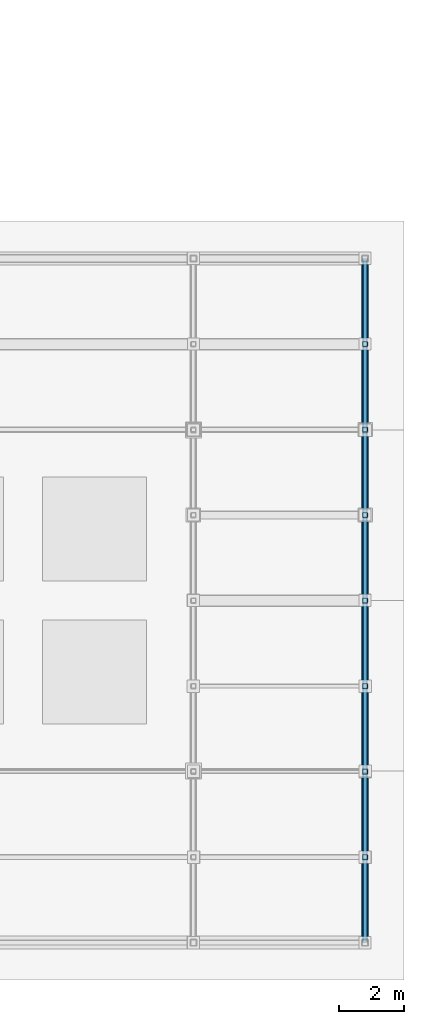
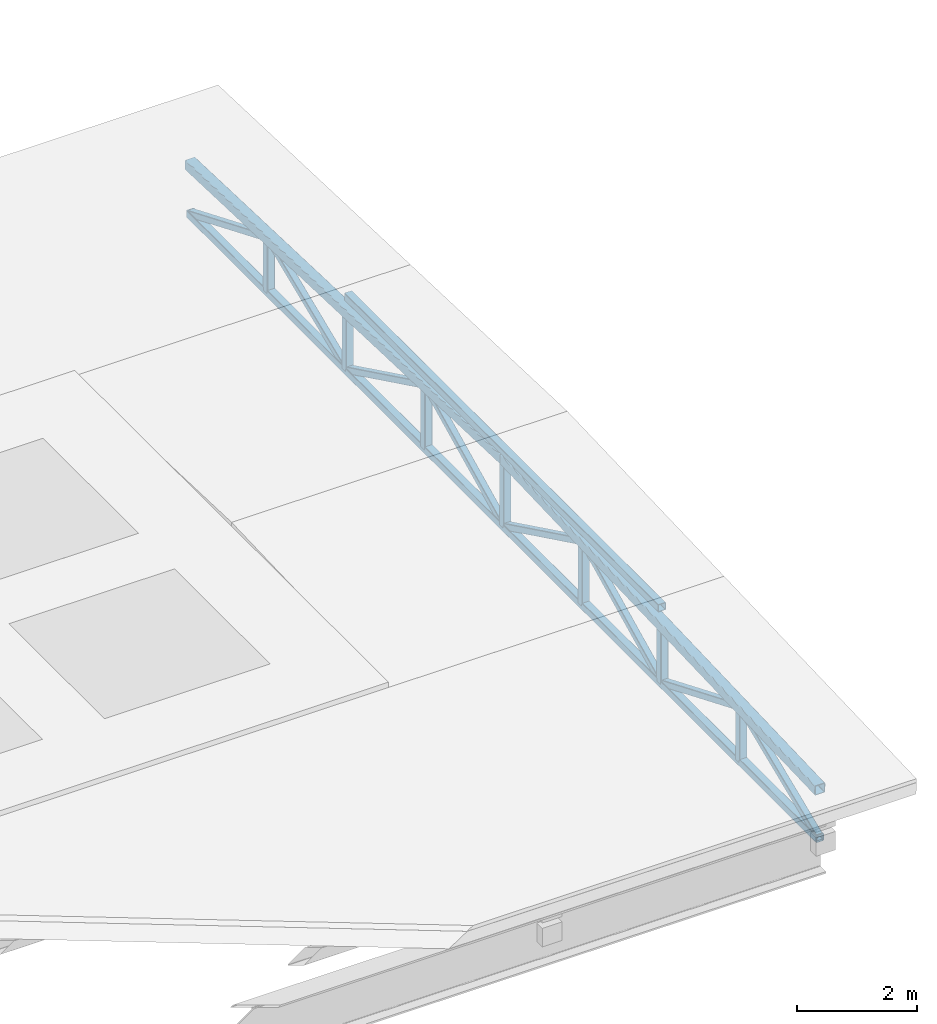
# One storey, part 7 of 25: 15 members, 4 beams.
"""IFC4 building model written with IfcOpenShell, lengths in metres."""

from ifc_helpers import new_model, si_unit, direction, frame, origin, origin_2d, place, context, subcontext, project, spatial, hollow_rectangle, extrude, material, material_profile, profile_set, type_object, element, save


model = new_model("IFC4")

# Units and contexts
model_context = context("Model", 3, precision=1e-05, world=origin(), true_north=direction((0.0, 1.0)))
body_context = subcontext(model_context, "Body", "Model", "MODEL_VIEW")
ifc_project = project(units=[si_unit("LENGTHUNIT", "METRE"), si_unit("AREAUNIT", "SQUARE_METRE"), si_unit("VOLUMEUNIT", "CUBIC_METRE"), si_unit("PLANEANGLEUNIT", "RADIAN"), si_unit("MASSUNIT", "GRAM", prefix="KILO"), si_unit("THERMODYNAMICTEMPERATUREUNIT", "KELVIN"), si_unit("POWERUNIT", "WATT")], contexts=[model_context])

# Site, building, storey
site_placement = place(None, origin())
site = spatial("IfcSite", under=ifc_project, at=site_placement, CompositionType="ELEMENT")
building_placement = place(site_placement, origin())
building = spatial("IfcBuilding", under=site, at=building_placement, Name="Zelmaris Science Centre", CompositionType="ELEMENT")
storey_placement = place(building_placement, frame((0.0, 0.0, 30.0)))
storey = spatial("IfcBuildingStorey", under=building, at=storey_placement, Name="RF", CompositionType="ELEMENT", Elevation=30.0)

# Beams
ifc_material = material(Name="Steel ASTM A500 Grade C", Category="steel")
ifc_material_profile_1 = material_profile(ifc_material, hollow_rectangle(XDim=0.203125, YDim=0.203125, WallThickness=0.01171875, InnerFilletRadius=0.01171875, OuterFilletRadius=0.023681640625, at=origin_2d()), Name="HSS203X203X13")
ifc_profile_set_1 = profile_set([ifc_material_profile_1], Name="Steel ASTM A500 Grade C")
beam_type_1 = type_object("IfcBeamType", Name="Beam G-20 HSS203X203X13", PredefinedType="BEAM", material=ifc_profile_set_1)
for number, where, z_axis, x_axis, name in (
    (1, (91.535888671875, 25.464111328125, 1.34814453125), (0.0, 0.99934977862, 0.036055789719), (-1.0, 0.0, 0.0), "RF-V2 Roof truss 4 south top chord"),
    (2, (91.535888671875, 36.0, 1.728271484375), (0.0, 0.99934977862, -0.036055789719), (-1.0, 0.0, 0.0), "RF-V2 Roof truss 4 north top chord"),
):
    element("IfcBeam", number, at=place(storey_placement, frame(where, z_axis=z_axis, x_axis=x_axis)), inside=storey, type_object=beam_type_1, Name=name, PredefinedType="BEAM", context=body_context, shape_type="SweptSolid", body=[
        extrude(hollow_rectangle(XDim=0.203125, YDim=0.203125, WallThickness=0.01171875, InnerFilletRadius=0.01171875, OuterFilletRadius=0.023681640625, at=origin_2d()), origin(), (0.0, 0.0, 1.0), 10.542724609375),
    ])
ifc_material_profile_2 = material_profile(ifc_material, hollow_rectangle(XDim=0.15234375, YDim=0.15234375, WallThickness=0.0087890625, InnerFilletRadius=0.0087890625, OuterFilletRadius=0.017822265625, at=origin_2d()), Name="HSS152X152X10")
ifc_profile_set_2 = profile_set([ifc_material_profile_2], Name="Steel ASTM A500 Grade C")
beam_type_2 = type_object("IfcBeamType", Name="Beam G-21 HSS152X152X10", PredefinedType="BEAM", material=ifc_profile_set_2)
beam_1_placement = place(storey_placement, frame((91.535888671875, 25.464111328125, 0.34814453125), z_axis=(0.0, 1.0, 0.0), x_axis=(-1.0, 0.0, 0.0)))
element("IfcBeam", 3, at=beam_1_placement, inside=storey, type_object=beam_type_2, Name="RF-V2 Roof truss 4 bottom chord", PredefinedType="BEAM", context=body_context, shape_type="SweptSolid", body=[
    extrude(hollow_rectangle(XDim=0.15234375, YDim=0.15234375, WallThickness=0.0087890625, InnerFilletRadius=0.0087890625, OuterFilletRadius=0.017822265625, at=origin_2d()), origin(), (0.0, 0.0, 1.0), 21.07177734375),
])
beam_2_placement = place(storey_placement, frame((91.535888671875, 30.75, 1.860107421875), z_axis=(0.0, 1.0, 0.0), x_axis=(-1.0, 0.0, 0.0)))
element("IfcBeam", 4, at=beam_2_placement, inside=storey, type_object=beam_type_2, Name="RF-V2 Lantern transverse header 4", PredefinedType="BEAM", context=body_context, shape_type="SweptSolid", body=[
    extrude(hollow_rectangle(XDim=0.15234375, YDim=0.15234375, WallThickness=0.0087890625, InnerFilletRadius=0.0087890625, OuterFilletRadius=0.017822265625, at=origin_2d()), origin(), (0.0, 0.0, 1.0), 10.5),
])

# Members
ifc_material_profile_3 = material_profile(ifc_material, hollow_rectangle(XDim=0.15234375, YDim=0.15234375, WallThickness=0.0087890625, InnerFilletRadius=0.0087890625, OuterFilletRadius=0.017822265625, at=origin_2d()), Name="HSS152X152X10")
ifc_profile_set_3 = profile_set([ifc_material_profile_3], Name="Steel ASTM A500 Grade C")
member_type_1 = type_object("IfcMemberType", Name="Structural Brace BR-03 HSS152X152X10", PredefinedType="BRACE", material=ifc_profile_set_3)
member_1_placement = place(storey_placement, frame((91.535888671875, 28.09814453125, 0.34814453125), z_axis=(0.0, 0.0, 1.0), x_axis=(1.0, 0.0, 0.0)))
element("IfcMember", 5, at=member_1_placement, inside=storey, type_object=member_type_1, Name="RF-V2 Roof truss 4 vertical web 1", PredefinedType="BRACE", context=body_context, shape_type="SweptSolid", body=[
    extrude(hollow_rectangle(XDim=0.15234375, YDim=0.15234375, WallThickness=0.0087890625, InnerFilletRadius=0.0087890625, OuterFilletRadius=0.017822265625, at=origin_2d()), origin(), (0.0, 0.0, 1.0), 1.094970703125),
])
member_2_placement = place(storey_placement, frame((91.535888671875, 30.73193359375, 0.34814453125), z_axis=(0.0, 0.0, 1.0), x_axis=(1.0, 0.0, 0.0)))
element("IfcMember", 6, at=member_2_placement, inside=storey, type_object=member_type_1, Name="RF-V2 Roof truss 4 vertical web 2", PredefinedType="BRACE", context=body_context, shape_type="SweptSolid", body=[
    extrude(hollow_rectangle(XDim=0.15234375, YDim=0.15234375, WallThickness=0.0087890625, InnerFilletRadius=0.0087890625, OuterFilletRadius=0.017822265625, at=origin_2d()), origin(), (0.0, 0.0, 1.0), 1.18994140625),
])
member_3_placement = place(storey_placement, frame((91.535888671875, 33.365966796875, 0.34814453125), z_axis=(0.0, 0.0, 1.0), x_axis=(1.0, 0.0, 0.0)))
element("IfcMember", 7, at=member_3_placement, inside=storey, type_object=member_type_1, Name="RF-V2 Roof truss 4 vertical web 3", PredefinedType="BRACE", context=body_context, shape_type="SweptSolid", body=[
    extrude(hollow_rectangle(XDim=0.15234375, YDim=0.15234375, WallThickness=0.0087890625, InnerFilletRadius=0.0087890625, OuterFilletRadius=0.017822265625, at=origin_2d()), origin(), (0.0, 0.0, 1.0), 1.28515625),
])
member_4_placement = place(storey_placement, frame((91.535888671875, 36.0, 0.34814453125), z_axis=(0.0, 0.0, 1.0), x_axis=(1.0, 0.0, 0.0)))
element("IfcMember", 8, at=member_4_placement, inside=storey, type_object=member_type_1, Name="RF-V2 Roof truss 4 vertical web 4", PredefinedType="BRACE", context=body_context, shape_type="SweptSolid", body=[
    extrude(hollow_rectangle(XDim=0.15234375, YDim=0.15234375, WallThickness=0.0087890625, InnerFilletRadius=0.0087890625, OuterFilletRadius=0.017822265625, at=origin_2d()), origin(), (0.0, 0.0, 1.0), 1.380126953125),
])
member_5_placement = place(storey_placement, frame((91.535888671875, 38.634033203125, 0.34814453125), z_axis=(0.0, 0.0, 1.0), x_axis=(1.0, 0.0, 0.0)))
element("IfcMember", 9, at=member_5_placement, inside=storey, type_object=member_type_1, Name="RF-V2 Roof truss 4 vertical web 5", PredefinedType="BRACE", context=body_context, shape_type="SweptSolid", body=[
    extrude(hollow_rectangle(XDim=0.15234375, YDim=0.15234375, WallThickness=0.0087890625, InnerFilletRadius=0.0087890625, OuterFilletRadius=0.017822265625, at=origin_2d()), origin(), (0.0, 0.0, 1.0), 1.28515625),
])
member_6_placement = place(storey_placement, frame((91.535888671875, 41.267822265625, 0.34814453125), z_axis=(0.0, 0.0, 1.0), x_axis=(1.0, 0.0, 0.0)))
element("IfcMember", 10, at=member_6_placement, inside=storey, type_object=member_type_1, Name="RF-V2 Roof truss 4 vertical web 6", PredefinedType="BRACE", context=body_context, shape_type="SweptSolid", body=[
    extrude(hollow_rectangle(XDim=0.15234375, YDim=0.15234375, WallThickness=0.0087890625, InnerFilletRadius=0.0087890625, OuterFilletRadius=0.017822265625, at=origin_2d()), origin(), (0.0, 0.0, 1.0), 1.18994140625),
])
member_7_placement = place(storey_placement, frame((91.535888671875, 43.90185546875, 0.34814453125), z_axis=(0.0, 0.0, 1.0), x_axis=(1.0, 0.0, 0.0)))
element("IfcMember", 11, at=member_7_placement, inside=storey, type_object=member_type_1, Name="RF-V2 Roof truss 4 vertical web 7", PredefinedType="BRACE", context=body_context, shape_type="SweptSolid", body=[
    extrude(hollow_rectangle(XDim=0.15234375, YDim=0.15234375, WallThickness=0.0087890625, InnerFilletRadius=0.0087890625, OuterFilletRadius=0.017822265625, at=origin_2d()), origin(), (0.0, 0.0, 1.0), 1.094970703125),
])
ifc_material_profile_4 = material_profile(ifc_material, hollow_rectangle(XDim=0.126953125, YDim=0.126953125, WallThickness=0.00732421875, InnerFilletRadius=0.00732421875, OuterFilletRadius=0.014892578125, at=origin_2d()), Name="HSS127X127X8")
ifc_profile_set_4 = profile_set([ifc_material_profile_4], Name="Steel ASTM A500 Grade C")
member_type_2 = type_object("IfcMemberType", Name="Structural Brace BR-04 HSS127X127X8", PredefinedType="BRACE", material=ifc_profile_set_4)
member_8_placement = place(storey_placement, frame((91.535888671875, 25.464111328125, 0.34814453125), z_axis=(0.0, 0.923393128755, 0.383855610572), x_axis=(-1.0, 0.0, 0.0)))
element("IfcMember", 12, at=member_8_placement, inside=storey, type_object=member_type_2, Name="RF-V2 Roof truss 4 web diagonal 1", PredefinedType="BRACE", context=body_context, shape_type="SweptSolid", body=[
    extrude(hollow_rectangle(XDim=0.126953125, YDim=0.126953125, WallThickness=0.00732421875, InnerFilletRadius=0.00732421875, OuterFilletRadius=0.014892578125, at=origin_2d()), origin(), (0.0, 0.0, 1.0), 2.8525390625),
])
member_9_placement = place(storey_placement, frame((91.535888671875, 28.09814453125, 1.443115234375), z_axis=(0.0, 0.923380516501, -0.383885948879), x_axis=(-1.0, 0.0, 0.0)))
element("IfcMember", 13, at=member_9_placement, inside=storey, type_object=member_type_2, Name="RF-V2 Roof truss 4 web diagonal 2", PredefinedType="BRACE", context=body_context, shape_type="SweptSolid", body=[
    extrude(hollow_rectangle(XDim=0.126953125, YDim=0.126953125, WallThickness=0.00732421875, InnerFilletRadius=0.00732421875, OuterFilletRadius=0.014892578125, at=origin_2d()), origin(), (0.0, 0.0, 1.0), 2.852294921875),
])
for number, where, z_axis, x_axis, name in (
    (14, (91.535888671875, 30.73193359375, 0.34814453125), (0.0, 0.898733216997, 0.438495843384), (-1.0, 0.0, 0.0), "RF-V2 Roof truss 4 web diagonal 3"),
    (15, (91.535888671875, 33.365966796875, 1.63330078125), (0.0, 0.898733216997, -0.438495843384), (-1.0, 0.0, 0.0), "RF-V2 Roof truss 4 web diagonal 4"),
    (16, (91.535888671875, 36.0, 0.34814453125), (0.0, 0.898733216997, 0.438495843384), (-1.0, 0.0, 0.0), "RF-V2 Roof truss 4 web diagonal 5"),
):
    element("IfcMember", number, at=place(storey_placement, frame(where, z_axis=z_axis, x_axis=x_axis)), inside=storey, type_object=member_type_2, Name=name, PredefinedType="BRACE", context=body_context, shape_type="SweptSolid", body=[
        extrude(hollow_rectangle(XDim=0.126953125, YDim=0.126953125, WallThickness=0.00732421875, InnerFilletRadius=0.00732421875, OuterFilletRadius=0.014892578125, at=origin_2d()), origin(), (0.0, 0.0, 1.0), 2.930908203125),
    ])
member_10_placement = place(storey_placement, frame((91.535888671875, 38.634033203125, 1.63330078125), z_axis=(0.0, 0.898717198221, -0.438528673659), x_axis=(-1.0, 0.0, 0.0)))
element("IfcMember", 17, at=member_10_placement, inside=storey, type_object=member_type_2, Name="RF-V2 Roof truss 4 web diagonal 6", PredefinedType="BRACE", context=body_context, shape_type="SweptSolid", body=[
    extrude(hollow_rectangle(XDim=0.126953125, YDim=0.126953125, WallThickness=0.00732421875, InnerFilletRadius=0.00732421875, OuterFilletRadius=0.014892578125, at=origin_2d()), origin(), (0.0, 0.0, 1.0), 2.9306640625),
])
for number, where, z_axis, x_axis, name in (
    (18, (91.535888671875, 41.267822265625, 0.34814453125), (0.0, 0.923393128755, 0.383855610572), (-1.0, 0.0, 0.0), "RF-V2 Roof truss 4 web diagonal 7"),
    (19, (91.535888671875, 43.90185546875, 1.443115234375), (0.0, 0.923393128755, -0.383855610572), (-1.0, 0.0, 0.0), "RF-V2 Roof truss 4 web diagonal 8"),
):
    element("IfcMember", number, at=place(storey_placement, frame(where, z_axis=z_axis, x_axis=x_axis)), inside=storey, type_object=member_type_2, Name=name, PredefinedType="BRACE", context=body_context, shape_type="SweptSolid", body=[
        extrude(hollow_rectangle(XDim=0.126953125, YDim=0.126953125, WallThickness=0.00732421875, InnerFilletRadius=0.00732421875, OuterFilletRadius=0.014892578125, at=origin_2d()), origin(), (0.0, 0.0, 1.0), 2.8525390625),
    ])

save(model, "model.ifc")
